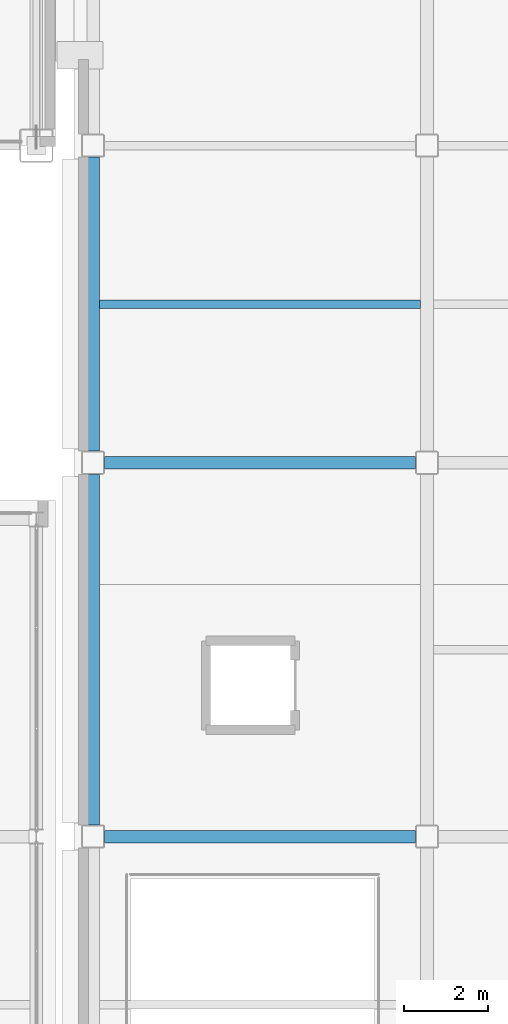
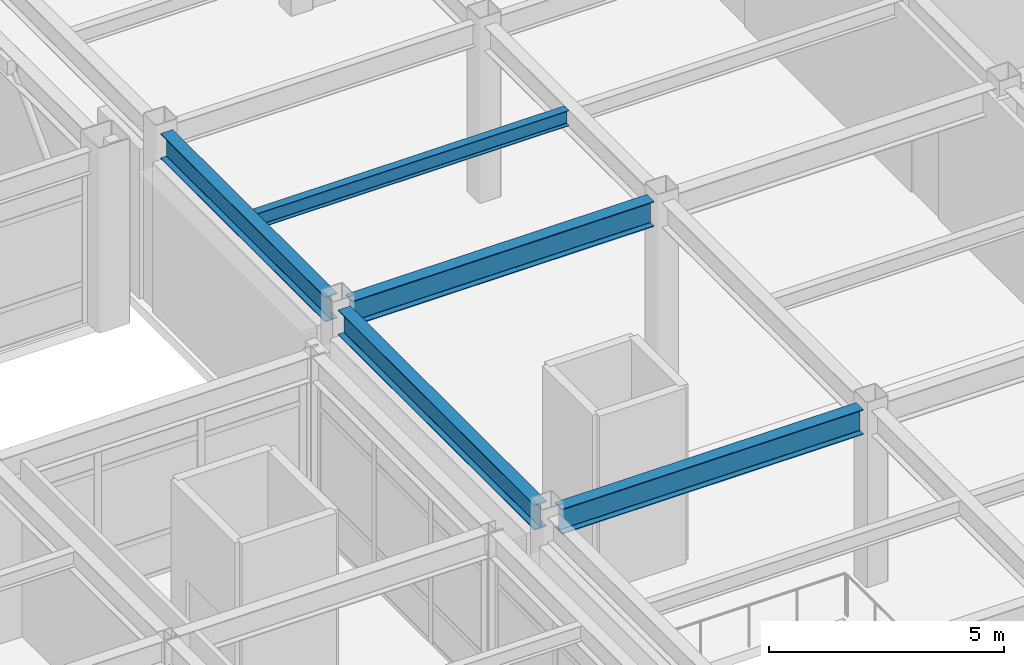
# One storey, part 32 of 154: 5 beams.
"""IFC4 building model written with IfcOpenShell, lengths in metres."""

from ifc_helpers import new_model, si_unit, direction, frame, origin, origin_2d, place, context, subcontext, project, spatial, i_section, extrude, material, material_profile, profile_set, type_object, element, save


model = new_model("IFC4")

# Units and contexts
model_context = context("Model", 3, precision=1e-05, world=origin(), true_north=direction((0.0, 1.0)))
body_context = subcontext(model_context, "Body", "Model", "MODEL_VIEW")
ifc_project = project(units=[si_unit("LENGTHUNIT", "METRE"), si_unit("AREAUNIT", "SQUARE_METRE"), si_unit("VOLUMEUNIT", "CUBIC_METRE"), si_unit("PLANEANGLEUNIT", "RADIAN"), si_unit("MASSUNIT", "GRAM", prefix="KILO")], contexts=[model_context])

# Site, building, storey
site_placement = place(None, origin())
site = spatial("IfcSite", under=ifc_project, at=site_placement, CompositionType="ELEMENT")
building_placement = place(site_placement, origin())
building = spatial("IfcBuilding", under=site, at=building_placement, Name="Kazehara Bluff Congress Hotel", CompositionType="ELEMENT")
storey_placement = place(building_placement, frame((0.0, 0.0, 10.199951171875)))
storey = spatial("IfcBuildingStorey", under=building, at=storey_placement, Name="L02", CompositionType="ELEMENT", Elevation=10.199951171875)

# Beams
ifc_material_1 = material(Name="Steel SN490B", Category="steel")
ifc_material_profile_1 = material_profile(ifc_material_1, i_section(OverallWidth=0.300048828125, OverallDepth=0.64990234375, WebThickness=0.011962890625, FlangeThickness=0.02001953125, FilletRadius=0.012939453125, at=origin_2d()))
ifc_profile_set_1 = profile_set([ifc_material_profile_1], Name="Steel SN490B")
beam_type_1 = type_object("IfcBeamType", Name="TP-G-03", PredefinedType="BEAM", material=ifc_profile_set_1)
beam_1_placement = place(storey_placement, frame((59.699951171875, 32.27490234375, 4.235107421875), z_axis=(0.0, 1.0, 0.0), x_axis=(-1.0, 0.0, 0.0)))
element("IfcBeam", 1, at=beam_1_placement, inside=storey, type_object=beam_type_1, Name="L02 girder G-03 59", PredefinedType="BEAM", context=body_context, shape_type="SweptSolid", body=[
    extrude(i_section(OverallWidth=0.300048828125, OverallDepth=0.64990234375, WebThickness=0.011962890625, FlangeThickness=0.02001953125, FilletRadius=0.012939453125, at=origin_2d()), origin(), (0.0, 0.0, 1.0), 8.35009765625),
])
beam_2_placement = place(storey_placement, frame((59.699951171875, 41.175048828125, 4.235107421875), z_axis=(0.0, 1.0, 0.0), x_axis=(-1.0, 0.0, 0.0)))
element("IfcBeam", 2, at=beam_2_placement, inside=storey, type_object=beam_type_1, Name="L02 girder G-03 60", PredefinedType="BEAM", context=body_context, shape_type="SweptSolid", body=[
    extrude(i_section(OverallWidth=0.300048828125, OverallDepth=0.64990234375, WebThickness=0.011962890625, FlangeThickness=0.02001953125, FilletRadius=0.012939453125, at=origin_2d()), origin(), (0.0, 0.0, 1.0), 7.0),
])
for number, where, z_axis, x_axis, name in (
    (3, (59.97509765625, 32.0, 4.235107421875), (1.0, 0.0, 0.0), (0.0, 1.0, 0.0), "L02 girder G-03 108"),
    (4, (59.97509765625, 40.89990234375, 4.235107421875), (1.0, 0.0, 0.0), (0.0, 1.0, 0.0), "L02 girder G-03 113"),
):
    element("IfcBeam", number, at=place(storey_placement, frame(where, z_axis=z_axis, x_axis=x_axis)), inside=storey, type_object=beam_type_1, Name=name, PredefinedType="BEAM", context=body_context, shape_type="SweptSolid", body=[
        extrude(i_section(OverallWidth=0.300048828125, OverallDepth=0.64990234375, WebThickness=0.011962890625, FlangeThickness=0.02001953125, FilletRadius=0.012939453125, at=origin_2d()), origin(), (0.0, 0.0, 1.0), 7.39990234375),
    ])
ifc_material_2 = material(Name="Steel SN400B", Category="steel")
ifc_material_profile_2 = material_profile(ifc_material_2, i_section(OverallWidth=0.199951171875, OverallDepth=0.39990234375, WebThickness=0.008056640625, FlangeThickness=0.012939453125, FilletRadius=0.012939453125, at=origin_2d()))
ifc_profile_set_2 = profile_set([ifc_material_profile_2], Name="Steel SN400B")
beam_type_2 = type_object("IfcBeamType", Name="TP-J-03", PredefinedType="JOIST", material=ifc_profile_set_2)
beam_3_placement = place(storey_placement, frame((59.85009765625, 44.675048828125, 4.360107421875), z_axis=(1.0, 0.0, 0.0), x_axis=(0.0, 1.0, 0.0)))
element("IfcBeam", 5, at=beam_3_placement, inside=storey, type_object=beam_type_2, Name="L02 secondary joist J-03 7", PredefinedType="JOIST", context=body_context, shape_type="SweptSolid", body=[
    extrude(i_section(OverallWidth=0.199951171875, OverallDepth=0.39990234375, WebThickness=0.008056640625, FlangeThickness=0.012939453125, FilletRadius=0.012939453125, at=origin_2d()), origin(), (0.0, 0.0, 1.0), 7.64990234375),
])

save(model, "model.ifc")
